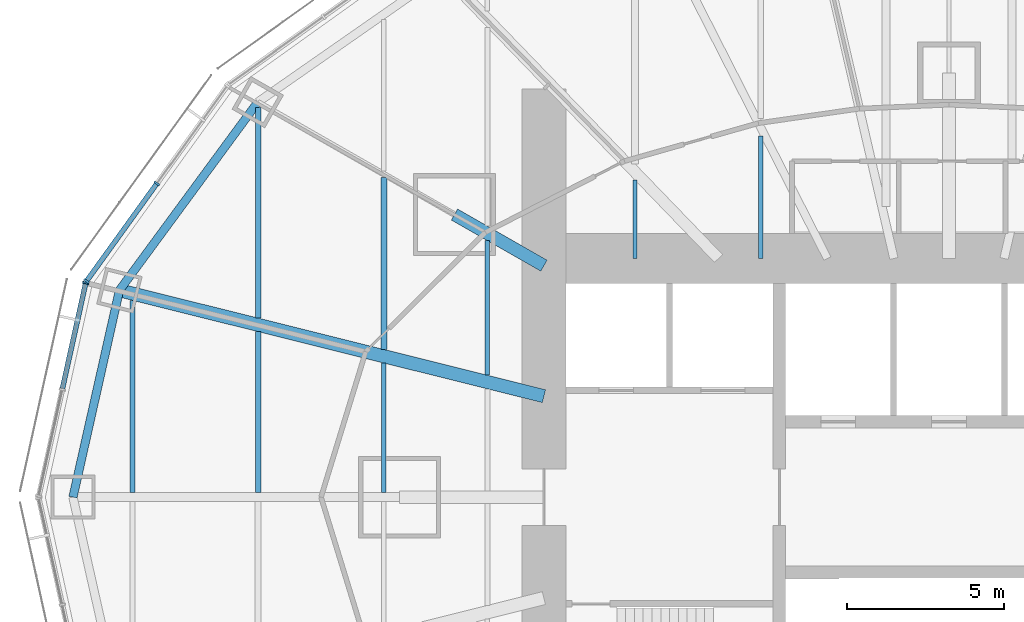
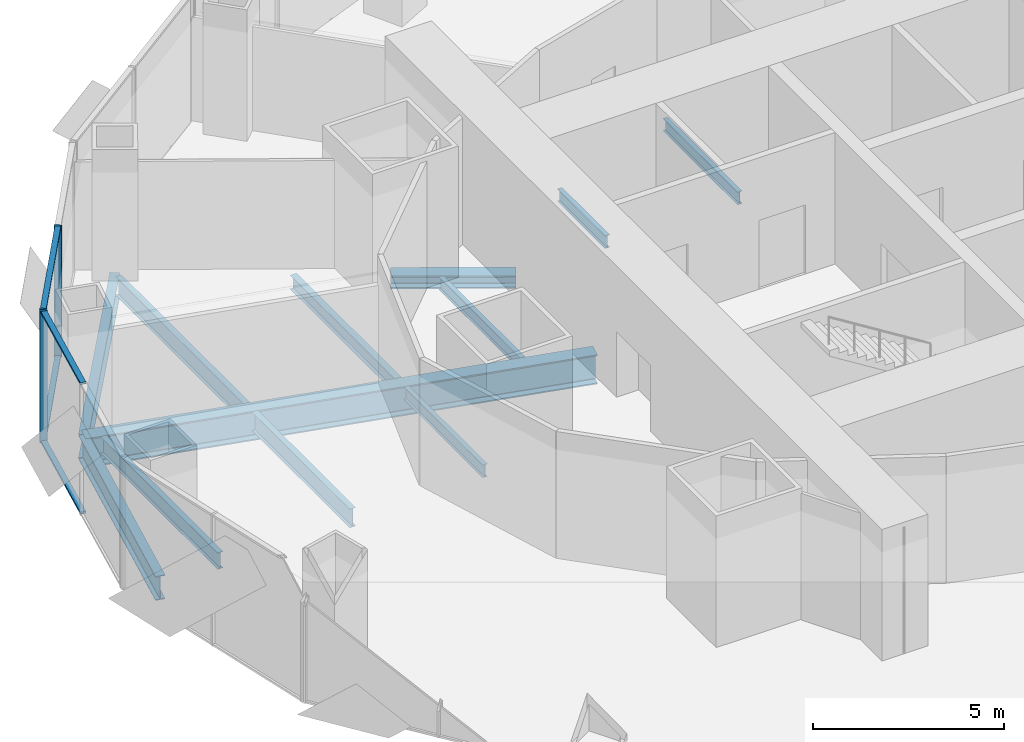
# One storey, part 4 of 18: 12 beams, 7 members, 2 elements without a shape of their own.
"""IFC4 building model written with IfcOpenShell, lengths in metres."""

from ifc_helpers import new_model, si_unit, direction, frame, origin, origin_2d, place, context, subcontext, project, spatial, rectangle, i_section, extrude, material, material_profile, profile_set, type_object, element, aggregate, save


model = new_model("IFC4")

# Units and contexts
model_context = context("Model", 3, precision=1e-05, world=origin(), true_north=direction((0.0, 1.0)))
body_context = subcontext(model_context, "Body", "Model", "MODEL_VIEW")
ifc_project = project(units=[si_unit("LENGTHUNIT", "METRE"), si_unit("AREAUNIT", "SQUARE_METRE"), si_unit("VOLUMEUNIT", "CUBIC_METRE"), si_unit("PLANEANGLEUNIT", "RADIAN"), si_unit("MASSUNIT", "GRAM", prefix="KILO")], contexts=[model_context])

# Site, building, storey
site_placement = place(None, origin())
site = spatial("IfcSite", under=ifc_project, at=site_placement, CompositionType="ELEMENT")
building_placement = place(site_placement, origin())
building = spatial("IfcBuilding", under=site, at=building_placement, Name="Lantaw Convention Tower", CompositionType="ELEMENT")
storey_placement = place(building_placement, frame((0.0, 0.0, 130.0)))
storey = spatial("IfcBuildingStorey", under=building, at=storey_placement, Name="L30", CompositionType="ELEMENT", Elevation=130.0)

# Beams
ifc_material_1 = material(Name="Steel ASTM A992", Category="steel")
ifc_material_profile_1 = material_profile(ifc_material_1, i_section(OverallWidth=0.2666015625, OverallDepth=0.76953125, WebThickness=0.015625, FlangeThickness=0.025390625, FilletRadius=0.0126953125, at=origin_2d()), Name="W30X132")
ifc_profile_set_1 = profile_set([ifc_material_profile_1], Name="Steel ASTM A992")
beam_type_1 = type_object("IfcBeamType", Name="Beam E W30X132", PredefinedType="SPANDREL", material=ifc_profile_set_1)
beam_1_placement = place(storey_placement, frame((-22.013916015625, 12.579345703125, -0.534912109375), z_axis=(-0.5923891972, -0.805651934176, 0.0), x_axis=(0.805651934176, -0.5923891972, 0.0)))
element("IfcBeam", 1, at=beam_1_placement, inside=storey, type_object=beam_type_1, Name="Edge beam 11", PredefinedType="SPANDREL", context=body_context, shape_type="SweptSolid", body=[
    extrude(i_section(OverallWidth=0.2666015625, OverallDepth=0.76953125, WebThickness=0.015625, FlangeThickness=0.025390625, FilletRadius=0.0126953125, at=origin_2d()), origin(), (0.0, 0.0, 1.0), 7.437744140625),
])
beam_2_placement = place(storey_placement, frame((-26.419921875, 6.587158203125, -0.534912109375), z_axis=(-0.219211877447, -0.975677279015, 0.0), x_axis=(0.975677279015, -0.219211877447, 0.0)))
element("IfcBeam", 2, at=beam_2_placement, inside=storey, type_object=beam_type_1, Name="Edge beam 12", PredefinedType="SPANDREL", context=body_context, shape_type="SweptSolid", body=[
    extrude(i_section(OverallWidth=0.2666015625, OverallDepth=0.76953125, WebThickness=0.015625, FlangeThickness=0.025390625, FilletRadius=0.0126953125, at=origin_2d()), origin(), (0.0, 0.0, 1.0), 6.75146484375),
])
ifc_material_profile_2 = material_profile(ifc_material_1, i_section(OverallWidth=0.421630859375, OverallDepth=0.937255859375, WebThickness=0.0224609375, FlangeThickness=0.039794921875, FilletRadius=0.02001953125, at=origin_2d()), Name="W36X282")
ifc_profile_set_2 = profile_set([ifc_material_profile_2], Name="Steel ASTM A992")
beam_type_2 = type_object("IfcBeamType", Name="Beam G W36X282", PredefinedType="BEAM", material=ifc_profile_set_2)
beam_3_placement = place(storey_placement, frame((-12.89990234375, 3.21630859375, -0.61865234375), z_axis=(-0.970296903132, 0.24191717544, 0.0), x_axis=(-0.24191717544, -0.970296903132, 0.0)))
element("IfcBeam", 3, at=beam_3_placement, inside=storey, type_object=beam_type_2, Name="Floor girder on ray 12", PredefinedType="BEAM", context=body_context, shape_type="SweptSolid", body=[
    extrude(i_section(OverallWidth=0.421630859375, OverallDepth=0.937255859375, WebThickness=0.0224609375, FlangeThickness=0.039794921875, FilletRadius=0.02001953125, at=origin_2d()), origin(), (0.0, 0.0, 1.0), 13.933837890625),
])
ifc_material_profile_3 = material_profile(ifc_material_1, i_section(OverallWidth=0.40380859375, OverallDepth=0.406494140625, WebThickness=0.027099609375, FlangeThickness=0.043701171875, FilletRadius=0.01513671875, at=origin_2d()), Name="W14X233")
ifc_profile_set_3 = profile_set([ifc_material_profile_3], Name="Steel ASTM A992")
beam_type_3 = type_object("IfcBeamType", Name="Beam GM W14X233", PredefinedType="BEAM", material=ifc_profile_set_3)
beam_4_placement = place(storey_placement, frame((-12.89990234375, 7.371337890625, -0.353271484375), z_axis=(-0.868238565244, 0.496146947811, 0.0), x_axis=(-0.496146947811, -0.868238565244, 0.0)))
element("IfcBeam", 4, at=beam_4_placement, inside=storey, type_object=beam_type_3, Name="Core link beam on ray 11", PredefinedType="BEAM", context=body_context, shape_type="SweptSolid", body=[
    extrude(i_section(OverallWidth=0.40380859375, OverallDepth=0.406494140625, WebThickness=0.027099609375, FlangeThickness=0.043701171875, FilletRadius=0.01513671875, at=origin_2d()), origin(), (0.0, 0.0, 1.0), 3.28271484375),
])
ifc_material_profile_4 = material_profile(ifc_material_1, i_section(OverallWidth=0.140380859375, OverallDepth=0.40380859375, WebThickness=0.007080078125, FlangeThickness=0.01123046875, FilletRadius=0.01025390625, at=origin_2d()), Name="W16X31")
ifc_profile_set_4 = profile_set([ifc_material_profile_4], Name="Steel ASTM A992")
beam_type_4 = type_object("IfcBeamType", Name="Beam J W16X31", PredefinedType="JOIST", material=ifc_profile_set_4)
beam_5_placement = place(storey_placement, frame((-18.0, 0.14599609375, -0.35205078125), z_axis=(0.0, 1.0, 0.0), x_axis=(-1.0, 0.0, 0.0)))
element("IfcBeam", 5, at=beam_5_placement, inside=storey, type_object=beam_type_4, Name="Floor joist", PredefinedType="JOIST", context=body_context, shape_type="SweptSolid", body=[
    extrude(i_section(OverallWidth=0.140380859375, OverallDepth=0.40380859375, WebThickness=0.007080078125, FlangeThickness=0.01123046875, FilletRadius=0.01025390625, at=origin_2d()), origin(), (0.0, 0.0, 1.0), 4.124755859375),
])
beam_6_placement = place(storey_placement, frame((-14.699951171875, 3.88232421875, -0.35205078125), z_axis=(0.0, 1.0, 0.0), x_axis=(-1.0, 0.0, 0.0)))
element("IfcBeam", 6, at=beam_6_placement, inside=storey, type_object=beam_type_4, Name="Floor joist", PredefinedType="JOIST", context=body_context, shape_type="SweptSolid", body=[
    extrude(i_section(OverallWidth=0.140380859375, OverallDepth=0.40380859375, WebThickness=0.007080078125, FlangeThickness=0.01123046875, FilletRadius=0.01025390625, at=origin_2d()), origin(), (0.0, 0.0, 1.0), 4.28515625),
])
beam_7_placement = place(storey_placement, frame((-10.0, 7.60009765625, -0.35205078125), z_axis=(0.0, 1.0, 0.0), x_axis=(-1.0, 0.0, 0.0)))
element("IfcBeam", 7, at=beam_7_placement, inside=storey, type_object=beam_type_4, Name="Floor joist", PredefinedType="JOIST", context=body_context, shape_type="SweptSolid", body=[
    extrude(i_section(OverallWidth=0.140380859375, OverallDepth=0.40380859375, WebThickness=0.007080078125, FlangeThickness=0.01123046875, FilletRadius=0.01025390625, at=origin_2d()), origin(), (0.0, 0.0, 1.0), 2.49560546875),
])
beam_8_placement = place(storey_placement, frame((-6.0, 7.60009765625, -0.35205078125), z_axis=(0.0, 1.0, 0.0), x_axis=(-1.0, 0.0, 0.0)))
element("IfcBeam", 8, at=beam_8_placement, inside=storey, type_object=beam_type_4, Name="Floor joist", PredefinedType="JOIST", context=body_context, shape_type="SweptSolid", body=[
    extrude(i_section(OverallWidth=0.140380859375, OverallDepth=0.40380859375, WebThickness=0.007080078125, FlangeThickness=0.01123046875, FilletRadius=0.01025390625, at=origin_2d()), origin(), (0.0, 0.0, 1.0), 3.895751953125),
])
ifc_material_profile_5 = material_profile(ifc_material_1, i_section(OverallWidth=0.1904296875, OverallDepth=0.457275390625, WebThickness=0.009033203125, FlangeThickness=0.014404296875, FilletRadius=0.01025390625, at=origin_2d()), Name="W18X50")
ifc_profile_set_5 = profile_set([ifc_material_profile_5], Name="Steel ASTM A992")
beam_type_5 = type_object("IfcBeamType", Name="Beam J W18X50", PredefinedType="JOIST", material=ifc_profile_set_5)
beam_9_placement = place(storey_placement, frame((-18.0, 4.705078125, -0.378662109375), z_axis=(0.0, 1.0, 0.0), x_axis=(-1.0, 0.0, 0.0)))
element("IfcBeam", 9, at=beam_9_placement, inside=storey, type_object=beam_type_5, Name="Floor joist", PredefinedType="JOIST", context=body_context, shape_type="SweptSolid", body=[
    extrude(i_section(OverallWidth=0.1904296875, OverallDepth=0.457275390625, WebThickness=0.009033203125, FlangeThickness=0.014404296875, FilletRadius=0.01025390625, at=origin_2d()), origin(), (0.0, 0.0, 1.0), 5.47802734375),
])
ifc_material_profile_6 = material_profile(ifc_material_1, i_section(OverallWidth=0.1650390625, OverallDepth=0.52587890625, WebThickness=0.0087890625, FlangeThickness=0.011474609375, FilletRadius=0.0126953125, at=origin_2d()), Name="W21X44")
ifc_profile_set_6 = profile_set([ifc_material_profile_6], Name="Steel ASTM A992")
beam_type_6 = type_object("IfcBeamType", Name="Beam J W21X44", PredefinedType="JOIST", material=ifc_profile_set_6)
beam_10_placement = place(storey_placement, frame((-26.0, 0.14599609375, -0.412841796875), z_axis=(0.0, 1.0, 0.0), x_axis=(-1.0, 0.0, 0.0)))
element("IfcBeam", 10, at=beam_10_placement, inside=storey, type_object=beam_type_6, Name="Floor joist", PredefinedType="JOIST", context=body_context, shape_type="SweptSolid", body=[
    extrude(i_section(OverallWidth=0.1650390625, OverallDepth=0.52587890625, WebThickness=0.0087890625, FlangeThickness=0.011474609375, FilletRadius=0.0126953125, at=origin_2d()), origin(), (0.0, 0.0, 1.0), 6.119140625),
])
ifc_material_profile_7 = material_profile(ifc_material_1, i_section(OverallWidth=0.177978515625, OverallDepth=0.599365234375, WebThickness=0.010009765625, FlangeThickness=0.012939453125, FilletRadius=0.012939453125, at=origin_2d()), Name="W24X55")
ifc_profile_set_7 = profile_set([ifc_material_profile_7], Name="Steel ASTM A992")
beam_type_7 = type_object("IfcBeamType", Name="Beam J W24X55", PredefinedType="JOIST", material=ifc_profile_set_7)
beam_11_placement = place(storey_placement, frame((-22.0, 0.14599609375, -0.44970703125), z_axis=(0.0, 1.0, 0.0), x_axis=(-1.0, 0.0, 0.0)))
element("IfcBeam", 11, at=beam_11_placement, inside=storey, type_object=beam_type_7, Name="Floor joist", PredefinedType="JOIST", context=body_context, shape_type="SweptSolid", body=[
    extrude(i_section(OverallWidth=0.177978515625, OverallDepth=0.599365234375, WebThickness=0.010009765625, FlangeThickness=0.012939453125, FilletRadius=0.012939453125, at=origin_2d()), origin(), (0.0, 0.0, 1.0), 5.121826171875),
])
beam_12_placement = place(storey_placement, frame((-22.0, 5.702392578125, -0.44970703125), z_axis=(0.0, 1.0, 0.0), x_axis=(-1.0, 0.0, 0.0)))
element("IfcBeam", 12, at=beam_12_placement, inside=storey, type_object=beam_type_7, Name="Floor joist", PredefinedType="JOIST", context=body_context, shape_type="SweptSolid", body=[
    extrude(i_section(OverallWidth=0.177978515625, OverallDepth=0.599365234375, WebThickness=0.010009765625, FlangeThickness=0.012939453125, FilletRadius=0.012939453125, at=origin_2d()), origin(), (0.0, 0.0, 1.0), 6.70654296875),
])

# Curtain wall, members
ifc_material_2 = material(Name="Aluminium framed curtain wall", Category="aluminium")
curtain_wall_type = type_object("IfcCurtainWallType", Name="Office curtain wall low rise, pale aluminium", PredefinedType="USERDEFINED", material=ifc_material_2)
curtain_wall_1_placement = place(storey_placement, origin())
curtain_wall_1 = element("IfcCurtainWall", 13, at=curtain_wall_1_placement, inside=storey, type_object=curtain_wall_type, Name="Office curtain wall low rise, pale aluminium L30", ObjectType="UNITISED CURTAIN WALL", PredefinedType="USERDEFINED")
ifc_material_3 = material(Name="Aluminium 6063-T6", Category="aluminium")
ifc_material_profile_8 = material_profile(ifc_material_3, rectangle(XDim=0.199951171875, YDim=0.06494140625, at=origin_2d()), Name="CW-O1 mullion 65x200")
ifc_profile_set_8 = profile_set([ifc_material_profile_8], Name="Aluminium 6063-T6")
member_type_1 = type_object("IfcMemberType", Name="CW-O1 mullion 65x200", PredefinedType="MULLION", material=ifc_profile_set_8)
member_1_placement = place(storey_placement, frame((-25.22802734375, 9.9892578125, -0.14990234375), z_axis=(0.0, 0.0, 1.0), x_axis=(0.811384633629, -0.584512597221, 0.0)))
member_1 = element("IfcMember", 14, at=member_1_placement, type_object=member_type_1, Name="CW-O1 mullion 2", PredefinedType="MULLION", context=body_context, shape_type="SweptSolid", body=[
    extrude(rectangle(XDim=0.199951171875, YDim=0.06494140625, at=origin_2d()), origin(), (0.0, 0.0, 1.0), 4.199951171875),
])
member_2_placement = place(storey_placement, frame((-27.46826171875, 6.879638671875, -0.14990234375), z_axis=(0.0, 0.0, 1.0), x_axis=(0.811384633629, -0.584512597221, 0.0)))
member_2 = element("IfcMember", 15, at=member_2_placement, type_object=member_type_1, Name="CW-O1 mullion 3", PredefinedType="MULLION", context=body_context, shape_type="SweptSolid", body=[
    extrude(rectangle(XDim=0.199951171875, YDim=0.06494140625, at=origin_2d()), origin(), (0.0, 0.0, 1.0), 4.199951171875),
])

# Curtain wall, member
curtain_wall_2_placement = place(storey_placement, origin())
curtain_wall_2 = element("IfcCurtainWall", 16, at=curtain_wall_2_placement, inside=storey, type_object=curtain_wall_type, Name="Office curtain wall low rise, pale aluminium L30", ObjectType="UNITISED CURTAIN WALL", PredefinedType="USERDEFINED")
member_3_placement = place(storey_placement, frame((-27.494140625, 6.821533203125, -0.14990234375), z_axis=(0.0, 0.0, 1.0), x_axis=(0.9764936509, -0.215546166174, 0.0)))
member_3 = element("IfcMember", 17, at=member_3_placement, type_object=member_type_1, Name="CW-O1 mullion 1", PredefinedType="MULLION", context=body_context, shape_type="SweptSolid", body=[
    extrude(rectangle(XDim=0.199951171875, YDim=0.06494140625, at=origin_2d()), origin(), (0.0, 0.0, 1.0), 4.199951171875),
])

# Member
ifc_material_profile_9 = material_profile(ifc_material_3, rectangle(XDim=0.159912109375, YDim=0.06494140625, at=origin_2d()), Name="CW-O1 transom 65x160")
ifc_profile_set_9 = profile_set([ifc_material_profile_9], Name="Aluminium 6063-T6")
member_type_2 = type_object("IfcMemberType", Name="CW-O1 transom 65x160", PredefinedType="USERDEFINED", material=ifc_profile_set_9)
member_4_placement = place(storey_placement, frame((-25.2470703125, 9.962890625, -0.117431640625), z_axis=(-0.584512973979, -0.811384362217, 0.0), x_axis=(0.811384362217, -0.584512973979, 0.0)))
member_4 = element("IfcMember", 18, at=member_4_placement, type_object=member_type_2, Name="CW-O1 transom 2.1", ObjectType="TRANSOM", PredefinedType="USERDEFINED", context=body_context, shape_type="SweptSolid", body=[
    extrude(rectangle(XDim=0.159912109375, YDim=0.06494140625, at=origin_2d()), origin(), (0.0, 0.0, 1.0), 3.767578125),
])

member_5_placement = place(storey_placement, frame((-25.2470703125, 9.962890625, 4.017578125), z_axis=(-0.584512973979, -0.811384362217, 0.0), x_axis=(0.811384362217, -0.584512973979, 0.0)))
member_5 = element("IfcMember", 19, at=member_5_placement, type_object=member_type_2, Name="CW-O1 transom 2.2", ObjectType="TRANSOM", PredefinedType="USERDEFINED", context=body_context, shape_type="SweptSolid", body=[
    extrude(rectangle(XDim=0.159912109375, YDim=0.06494140625, at=origin_2d()), origin(), (0.0, 0.0, 1.0), 3.767578125),
])

aggregate(curtain_wall_1, [member_1, member_2, member_4, member_5])

member_6_placement = place(storey_placement, frame((-27.501220703125, 6.789794921875, -0.117431640625), z_axis=(-0.21555115847, -0.976492548913, 0.0), x_axis=(0.976492548913, -0.21555115847, 0.0)))
member_6 = element("IfcMember", 20, at=member_6_placement, type_object=member_type_2, Name="CW-O1 transom 1.1", ObjectType="TRANSOM", PredefinedType="USERDEFINED", context=body_context, shape_type="SweptSolid", body=[
    extrude(rectangle(XDim=0.159912109375, YDim=0.06494140625, at=origin_2d()), origin(), (0.0, 0.0, 1.0), 3.411376953125),
])

member_7_placement = place(storey_placement, frame((-27.501220703125, 6.789794921875, 4.017578125), z_axis=(-0.21555115847, -0.976492548913, 0.0), x_axis=(0.976492548913, -0.21555115847, 0.0)))
member_7 = element("IfcMember", 21, at=member_7_placement, type_object=member_type_2, Name="CW-O1 transom 1.2", ObjectType="TRANSOM", PredefinedType="USERDEFINED", context=body_context, shape_type="SweptSolid", body=[
    extrude(rectangle(XDim=0.159912109375, YDim=0.06494140625, at=origin_2d()), origin(), (0.0, 0.0, 1.0), 3.411376953125),
])

aggregate(curtain_wall_2, [member_3, member_6, member_7])

save(model, "model.ifc")
